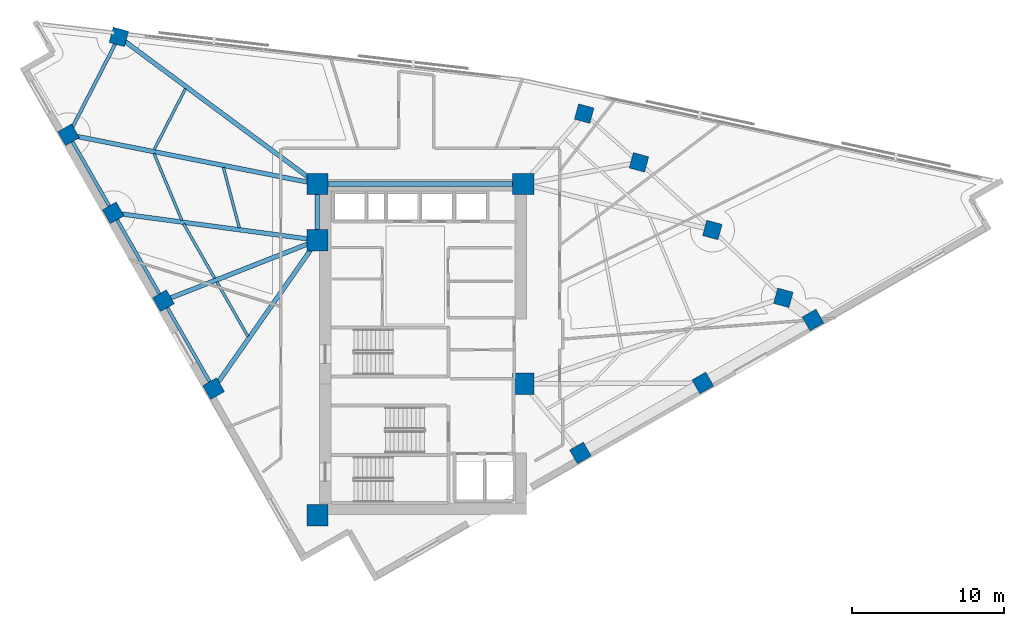
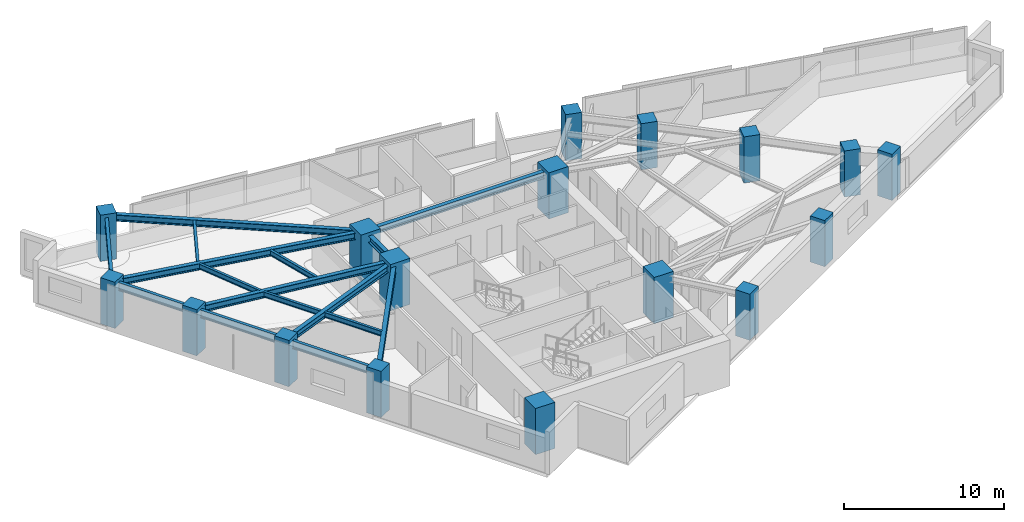
# One storey, part 1 of 14: 17 columns, 16 beams.
"""IFC4 building model written with IfcOpenShell, lengths in metres."""

import ifcopenshell
import ifcopenshell.guid

model = None  # the IFC model being written
_history = None  # IfcOwnerHistory: only IFC2X3 demands one
_inside = {}  # id of a spatial element -> (the spatial element, [elements in it])
_under = {}  # id of a project, library or spatial element -> (it, [spatial elements below it])
_declared = {}  # id of a project -> (the project, [libraries it declares])
_typed = {}  # id of a type object -> (the type object, [elements of that type])
_made_of = {}  # id of a material, layer set ... -> (it, [elements and type objects made of it])


def new_model(schema):
    """Start an empty IFC model of exactly this schema.

    Asked for "IFC4X3", IfcOpenShell would pick the latest addendum, in which some entities
    have other attributes; the version numbers below select the first issue.
    IFC2X3 requires an IfcOwnerHistory on every rooted entity: one is made here for all.
    """
    global model, _history
    if schema == "IFC4X3":
        model = ifcopenshell.file(schema_version=(4, 3, 0, 0))
    else:
        model = ifcopenshell.file(schema=schema)
    _inside.clear()
    _under.clear()
    _declared.clear()
    _typed.clear()
    _made_of.clear()
    _history = None
    if model.schema == "IFC2X3":
        org = make("IfcOrganization", Name="unknown")
        user = make(
            "IfcPersonAndOrganization",
            ThePerson=make("IfcPerson", FamilyName="unknown"),
            TheOrganization=org,
        )
        app = make(
            "IfcApplication",
            ApplicationDeveloper=org,
            Version="unknown",
            ApplicationFullName="unknown",
            ApplicationIdentifier="unknown",
        )
        _history = make(
            "IfcOwnerHistory",
            OwningUser=user,
            OwningApplication=app,
            ChangeAction="ADDED",
            CreationDate=0,
        )
    return model


def make(cls, **values):
    """One entity of the class cls with the attributes given. An attribute that is None is left unset."""
    return model.create_entity(
        cls, **{name: value for name, value in values.items() if value is not None}
    )


def rooted(cls, **values):
    """An entity with a GlobalId (a new one), such as an element, a storey or a relation."""
    return make(cls, GlobalId=ifcopenshell.guid.new(), OwnerHistory=_history, **values)


def si_unit(unit_type, name, prefix=None):
    """IfcSIUnit, for example si_unit("LENGTHUNIT", "METRE", prefix="MILLI")."""
    return make("IfcSIUnit", UnitType=unit_type, Prefix=prefix, Name=name)


def assignment(units):
    """IfcUnitAssignment: the units of a project."""
    return None if units is None else make("IfcUnitAssignment", Units=units)


def point(xyz):
    """IfcCartesianPoint."""
    return None if xyz is None else make("IfcCartesianPoint", Coordinates=xyz)


def direction(xyz):
    """IfcDirection."""
    return None if xyz is None else make("IfcDirection", DirectionRatios=xyz)


def frame(location, z_axis=None, x_axis=None):
    """IfcAxis2Placement3D, a coordinate frame: its origin and axes. An axis left out is left unset."""
    return make(
        "IfcAxis2Placement3D",
        Location=point(location),
        Axis=direction(z_axis),
        RefDirection=direction(x_axis),
    )


def frame_2d(location, x_axis=None):
    """IfcAxis2Placement2D, a coordinate frame in the plane: its origin and x axis."""
    return make(
        "IfcAxis2Placement2D", Location=point(location), RefDirection=direction(x_axis)
    )


def origin():
    """The frame at (0, 0, 0) with its axes left unset."""
    return frame((0.0, 0.0, 0.0))


def origin_2d():
    """The frame at (0, 0) in the plane with its x axis left unset."""
    return frame_2d((0.0, 0.0))


def place(relative_to, where):
    """IfcLocalPlacement: puts the frame where relative to a parent placement (None: the world)."""
    return make(
        "IfcLocalPlacement", PlacementRelTo=relative_to, RelativePlacement=where
    )


def context(
    kind, dimensions, precision=None, world=None, true_north=None, identifier=None
):
    """IfcGeometricRepresentationContext, for example the 3D "Model" context."""
    return make(
        "IfcGeometricRepresentationContext",
        ContextIdentifier=identifier,
        ContextType=kind,
        CoordinateSpaceDimension=dimensions,
        Precision=precision,
        WorldCoordinateSystem=world,
        TrueNorth=true_north,
    )


def subcontext(parent, identifier, kind, view, scale=None):
    """IfcGeometricRepresentationSubContext, for example "Body" below "Model"."""
    return make(
        "IfcGeometricRepresentationSubContext",
        ContextIdentifier=identifier,
        ContextType=kind,
        ParentContext=parent,
        TargetScale=scale,
        TargetView=view,
    )


def project(units=None, contexts=None):
    """IfcProject with its units and contexts."""
    return rooted(
        "IfcProject",
        Name="project",
        RepresentationContexts=contexts,
        UnitsInContext=assignment(units),
    )


def spatial(cls, under=None, at=None, **own):
    """A site, building, storey or space (cls), placed at a placement, below another one or the project."""
    s = rooted(cls, ObjectPlacement=at, **own)
    if under is not None:
        _under.setdefault(under.id(), (under, []))[1].append(s)
    return s


def profile(cls, at=None, kind="AREA", **sizes):
    """A parametric profile (cls). Its sizes go by their IFC names, for example OverallWidth=200.0."""
    return make(cls, ProfileType=kind, Position=at, **sizes)


def rectangle(**sizes):
    """IfcRectangleProfileDef."""
    return profile("IfcRectangleProfileDef", **sizes)


def i_section(**sizes):
    """IfcIShapeProfileDef."""
    return profile("IfcIShapeProfileDef", **sizes)


def extrude(swept, where, along, depth):
    """IfcExtrudedAreaSolid: the profile swept, set in the frame where, extruded along a direction by depth."""
    return make(
        "IfcExtrudedAreaSolid",
        SweptArea=swept,
        Position=where,
        ExtrudedDirection=direction(along),
        Depth=depth,
    )


def shape(context_of_items, identifier, shape_type, items):
    """IfcShapeRepresentation: the items that make up one representation, for example the "Body"."""
    return make(
        "IfcShapeRepresentation",
        ContextOfItems=context_of_items,
        RepresentationIdentifier=identifier,
        RepresentationType=shape_type,
        Items=items,
    )


def material(Name=None, Category=None):
    """IfcMaterial."""
    return make("IfcMaterial", Name=Name, Category=Category)


def material_profile(
    of_material, cross_section, Name=None, Category=None, Priority=None
):
    """IfcMaterialProfile: a cross section and its material."""
    return make(
        "IfcMaterialProfile",
        Name=Name,
        Material=of_material,
        Profile=cross_section,
        Priority=Priority,
        Category=Category,
    )


def profile_set(profiles, Name=None, composite=None):
    """IfcMaterialProfileSet."""
    return make(
        "IfcMaterialProfileSet",
        Name=Name,
        MaterialProfiles=profiles,
        CompositeProfile=composite,
    )


def made_of(thing, what):
    """Note that an element or type object is made of a material, layer set ...; save() writes the relation."""
    if what is not None:
        _made_of.setdefault(what.id(), (what, []))[1].append(thing)
    return thing


def type_object(cls, material=None, **own):
    """A type object (cls), such as IfcWallType, which elements share."""
    return made_of(rooted(cls, **own), material)


def element(
    cls,
    number,
    at=None,
    inside=None,
    cuts=None,
    type_object=None,
    material=None,
    context=None,
    identifier="Body",
    shape_type=None,
    held_by="IfcProductDefinitionShape",
    body=None,
    shapes=None,
    **own,
):
    """One element of the class cls, such as IfcWall. Its Tag is "e" and its number.

    at: its placement. inside: the storey or other place that contains it. cuts: it is an
    opening in that element (IfcRelVoidsElement). A single representation is given by context,
    identifier, shape_type and body (its items); several are given by shapes. held_by: the class
    of the entity that holds the representations. save() writes the other relations.
    """
    e = rooted(cls, Tag="e%d" % number, ObjectPlacement=at, **own)
    if body is not None:
        shapes = [shape(context, identifier, shape_type, body)]
    if shapes is not None:
        e.Representation = make(held_by, Representations=shapes)
    if inside is not None:
        _inside.setdefault(inside.id(), (inside, []))[1].append(e)
    if cuts is not None:
        rooted(
            "IfcRelVoidsElement", RelatingBuildingElement=cuts, RelatedOpeningElement=e
        )
    if type_object is not None:
        _typed.setdefault(type_object.id(), (type_object, []))[1].append(e)
    return made_of(e, material)


def aggregate(whole, parts):
    """IfcRelAggregates: a whole, such as a stair, and the parts it consists of."""
    return rooted("IfcRelAggregates", RelatingObject=whole, RelatedObjects=parts)


def save(model, path):
    """Write the relations noted so far, then the file.

    IfcRelAggregates (storeys below a building ...), IfcRelContainedInSpatialStructure (elements
    in a storey), IfcRelDefinesByType, IfcRelAssociatesMaterial and IfcRelDeclares: one each for
    every whole, place, type object, material and project.
    """
    for whole, parts in _under.values():
        aggregate(whole, parts)
    for where, things in _inside.values():
        rooted(
            "IfcRelContainedInSpatialStructure",
            RelatedElements=things,
            RelatingStructure=where,
        )
    for kind, things in _typed.values():
        rooted("IfcRelDefinesByType", RelatedObjects=things, RelatingType=kind)
    for what, things in _made_of.values():
        rooted("IfcRelAssociatesMaterial", RelatedObjects=things, RelatingMaterial=what)
    for by, libraries in _declared.values():
        rooted("IfcRelDeclares", RelatingContext=by, RelatedDefinitions=libraries)
    model.write(path)


model = new_model("IFC4")

# Units and contexts
model_context = context("Model", 3, precision=1e-05, world=origin(), true_north=direction((0.0, 1.0)))
body_context = subcontext(model_context, "Body", "Model", "MODEL_VIEW")
ifc_project = project(units=[si_unit("LENGTHUNIT", "METRE"), si_unit("AREAUNIT", "SQUARE_METRE"), si_unit("VOLUMEUNIT", "CUBIC_METRE"), si_unit("PLANEANGLEUNIT", "RADIAN"), si_unit("MASSUNIT", "GRAM", prefix="KILO")], contexts=[model_context])

# Site, building, storey
site_placement = place(None, origin())
site = spatial("IfcSite", under=ifc_project, at=site_placement, CompositionType="ELEMENT")
building_placement = place(site_placement, origin())
building = spatial("IfcBuilding", under=site, at=building_placement, Name="Narakoshi Arena Tower", CompositionType="ELEMENT")
storey_placement = place(building_placement, frame((0.0, 0.0, 211.4599609375)))
storey = spatial("IfcBuildingStorey", under=building, at=storey_placement, Name="L57", CompositionType="ELEMENT", Elevation=211.4599609375)

# Columns
ifc_material_1 = material(Name="Concrete C50/60", Category="concrete")
ifc_material_profile_1 = material_profile(ifc_material_1, rectangle(XDim=1.050048828125, YDim=1.050048828125, at=origin_2d()), Name="RC1050x1050")
ifc_profile_set_1 = profile_set([ifc_material_profile_1], Name="Concrete C50/60")
column_type_1 = type_object("IfcColumnType", Name="COL-RC1050", PredefinedType="COLUMN", material=ifc_profile_set_1)
for number, where, z_axis, x_axis, name in (
    (1, (89.30810546875, 38.798583984375, 0.0), (0.0, 0.0, 1.0), (0.868198814489, 0.496216503675, 0.0), "L57 Tower Perimeter Column TC01"),
    (2, (97.366943359375, 43.404541015625, 0.0), (0.0, 0.0, 1.0), (0.868198814489, 0.496216503675, 0.0), "L57 Tower Perimeter Column TC02"),
    (3, (104.619873046875, 47.550048828125, 0.0), (0.0, 0.0, 1.0), (0.868198814489, 0.496216503675, 0.0), "L57 Tower Perimeter Column TC03"),
    (4, (102.668701171875, 49.009521484375, 0.0), (0.0, 0.0, 1.0), (0.263031214458, 0.964787323829, 0.0), "L57 Tower Perimeter Column TC05"),
    (5, (97.997802734375, 53.47509765625, 0.0), (0.0, 0.0, 1.0), (0.263031214458, 0.964787323829, 0.0), "L57 Tower Perimeter Column TC06"),
    (6, (93.16650390625, 57.923828125, 0.0), (0.0, 0.0, 1.0), (0.263031214458, 0.964787323829, 0.0), "L57 Tower Perimeter Column TC07"),
    (7, (89.5615234375, 61.134765625, 0.0), (0.0, 0.0, 1.0), (0.263031214458, 0.964787323829, 0.0), "L57 Tower Perimeter Column TC08"),
    (8, (58.934326171875, 66.183837890625, 0.0), (0.0, 0.0, 1.0), (0.263031214458, 0.964787323829, 0.0), "L57 Tower Perimeter Column TC10"),
    (9, (55.624755859375, 59.74169921875, 0.0), (0.0, 0.0, 1.0), (-0.496216503675, 0.868198814489, 0.0), "L57 Tower Perimeter Column TC13"),
    (10, (58.562744140625, 54.60107421875, 0.0), (0.0, 0.0, 1.0), (-0.496216503675, 0.868198814489, 0.0), "L57 Tower Perimeter Column TC14"),
    (11, (61.8681640625, 48.81787109375, 0.0), (0.0, 0.0, 1.0), (-0.496216503675, 0.868198814489, 0.0), "L57 Tower Perimeter Column TC15"),
    (12, (65.17333984375, 43.03466796875, 0.0), (0.0, 0.0, 1.0), (-0.496216503675, 0.868198814489, 0.0), "L57 Tower Perimeter Column TC16"),
):
    element("IfcColumn", number, at=place(storey_placement, frame(where, z_axis=z_axis, x_axis=x_axis)), inside=storey, type_object=column_type_1, Name=name, PredefinedType="COLUMN", context=body_context, shape_type="SweptSolid", body=[
        extrude(rectangle(XDim=1.050048828125, YDim=1.050048828125, at=origin_2d()), origin(), (0.0, 0.0, 1.0), 3.52001953125),
    ])
ifc_material_2 = material(Name="Concrete C60/75", Category="concrete")
ifc_material_profile_2 = material_profile(ifc_material_2, rectangle(XDim=1.39990234375, YDim=1.39990234375, at=origin_2d()), Name="RC1400x1400")
ifc_profile_set_2 = profile_set([ifc_material_profile_2], Name="Concrete C60/75")
column_type_2 = type_object("IfcColumnType", Name="COL-RC1400", PredefinedType="COLUMN", material=ifc_profile_set_2)
for number, where, z_axis, x_axis, name in (
    (13, (72.0, 34.699951171875, 0.0), (0.0, 0.0, 1.0), (1.0, 0.0, 0.0), "L57 Core Structural Column CC1"),
    (14, (85.550048828125, 43.35009765625, 0.0), (0.0, 0.0, 1.0), (1.0, 0.0, 0.0), "L57 Core Structural Column CC3"),
    (15, (72.0, 52.800048828125, 0.0), (0.0, 0.0, 1.0), (1.0, 0.0, 0.0), "L57 Core Structural Column CC4"),
    (16, (72.0, 56.5, 0.0), (0.0, 0.0, 1.0), (1.0, 0.0, 0.0), "L57 Core Structural Column CC5"),
    (17, (85.550048828125, 56.5, 0.0), (0.0, 0.0, 1.0), (1.0, 0.0, 0.0), "L57 Core Structural Column CC6"),
):
    element("IfcColumn", number, at=place(storey_placement, frame(where, z_axis=z_axis, x_axis=x_axis)), inside=storey, type_object=column_type_2, Name=name, PredefinedType="COLUMN", context=body_context, shape_type="SweptSolid", body=[
        extrude(rectangle(XDim=1.39990234375, YDim=1.39990234375, at=origin_2d()), origin(), (0.0, 0.0, 1.0), 3.52001953125),
    ])

# Beams
ifc_material_3 = material(Name="Structural steel S355J2", Category="steel")
ifc_material_profile_3 = material_profile(ifc_material_3, i_section(OverallWidth=0.219970703125, OverallDepth=0.60009765625, WebThickness=0.011962890625, FlangeThickness=0.01904296875, FilletRadius=0.02392578125, at=origin_2d()), Name="IPE600")
ifc_profile_set_3 = profile_set([ifc_material_profile_3], Name="Structural steel S355J2")
beam_type_1 = type_object("IfcBeamType", Name="BM-EDGE-600", PredefinedType="BEAM", material=ifc_profile_set_3)
beam_1_placement = place(storey_placement, frame((58.934326171875, 66.183837890625, 2.9599609375), z_axis=(-0.45696256568, -0.889485926571, 0.0), x_axis=(0.889485926571, -0.45696256568, 0.0)))
element("IfcBeam", 18, at=beam_1_placement, inside=storey, type_object=beam_type_1, Name="L57 Perimeter Edge Girder 08", PredefinedType="BEAM", context=body_context, shape_type="SweptSolid", body=[
    extrude(i_section(OverallWidth=0.219970703125, OverallDepth=0.60009765625, WebThickness=0.011962890625, FlangeThickness=0.01904296875, FilletRadius=0.02392578125, at=origin_2d()), origin(), (0.0, 0.0, 1.0), 7.242431640625),
])
beam_2_placement = place(storey_placement, frame((55.624755859375, 59.74169921875, 2.9599609375), z_axis=(0.496201104161, -0.868207615856, 0.0), x_axis=(0.868207615856, 0.496201104161, 0.0)))
element("IfcBeam", 19, at=beam_2_placement, inside=storey, type_object=beam_type_1, Name="L57 Perimeter Edge Girder 09", PredefinedType="BEAM", context=body_context, shape_type="SweptSolid", body=[
    extrude(i_section(OverallWidth=0.219970703125, OverallDepth=0.60009765625, WebThickness=0.011962890625, FlangeThickness=0.01904296875, FilletRadius=0.02392578125, at=origin_2d()), origin(), (0.0, 0.0, 1.0), 5.9208984375),
])
for number, where, z_axis, x_axis, name in (
    (20, (58.562744140625, 54.60107421875, 2.9599609375), (0.496221824399, -0.868195773423, 0.0), (0.868195773423, 0.496221824399, 0.0), "L57 Perimeter Edge Girder 10"),
    (21, (61.8681640625, 48.81787109375, 2.9599609375), (0.496194197226, -0.868211563295, 0.0), (0.868211563295, 0.496194197226, 0.0), "L57 Perimeter Edge Girder 11"),
):
    element("IfcBeam", number, at=place(storey_placement, frame(where, z_axis=z_axis, x_axis=x_axis)), inside=storey, type_object=beam_type_1, Name=name, PredefinedType="BEAM", context=body_context, shape_type="SweptSolid", body=[
        extrude(i_section(OverallWidth=0.219970703125, OverallDepth=0.60009765625, WebThickness=0.011962890625, FlangeThickness=0.01904296875, FilletRadius=0.02392578125, at=origin_2d()), origin(), (0.0, 0.0, 1.0), 6.6611328125),
    ])
ifc_material_profile_4 = material_profile(ifc_material_3, i_section(OverallWidth=0.300048828125, OverallDepth=0.5, WebThickness=0.014404296875, FlangeThickness=0.028076171875, FilletRadius=0.027099609375, at=origin_2d()), Name="HE500B")
ifc_profile_set_4 = profile_set([ifc_material_profile_4], Name="Structural steel S355J2")
beam_type_2 = type_object("IfcBeamType", Name="BM-PRI-500", PredefinedType="BEAM", material=ifc_profile_set_4)
beam_3_placement = place(storey_placement, frame((72.0, 56.5, 3.010009765625), z_axis=(-0.803393614053, 0.595448319252, 0.0), x_axis=(-0.595448319252, -0.803393614053, 0.0)))
element("IfcBeam", 22, at=beam_3_placement, inside=storey, type_object=beam_type_2, Name="L57 Radial Primary Floor Girder 08", PredefinedType="BEAM", context=body_context, shape_type="SweptSolid", body=[
    extrude(i_section(OverallWidth=0.300048828125, OverallDepth=0.5, WebThickness=0.014404296875, FlangeThickness=0.028076171875, FilletRadius=0.027099609375, at=origin_2d()), origin(), (0.0, 0.0, 1.0), 16.26318359375),
])
beam_4_placement = place(storey_placement, frame((72.0, 56.5, 3.010009765625), z_axis=(-0.980962989548, 0.194194781435, 0.0), x_axis=(-0.194194781435, -0.980962989548, 0.0)))
element("IfcBeam", 23, at=beam_4_placement, inside=storey, type_object=beam_type_2, Name="L57 Radial Primary Floor Girder 09", PredefinedType="BEAM", context=body_context, shape_type="SweptSolid", body=[
    extrude(i_section(OverallWidth=0.300048828125, OverallDepth=0.5, WebThickness=0.014404296875, FlangeThickness=0.028076171875, FilletRadius=0.027099609375, at=origin_2d()), origin(), (0.0, 0.0, 1.0), 16.693115234375),
])
beam_5_placement = place(storey_placement, frame((72.0, 52.800048828125, 3.010009765625), z_axis=(-0.991136919777, 0.132844293268, 0.0), x_axis=(-0.132844293268, -0.991136919777, 0.0)))
element("IfcBeam", 24, at=beam_5_placement, inside=storey, type_object=beam_type_2, Name="L57 Radial Primary Floor Girder 10", PredefinedType="BEAM", context=body_context, shape_type="SweptSolid", body=[
    extrude(i_section(OverallWidth=0.300048828125, OverallDepth=0.5, WebThickness=0.014404296875, FlangeThickness=0.028076171875, FilletRadius=0.027099609375, at=origin_2d()), origin(), (0.0, 0.0, 1.0), 13.557373046875),
])
beam_6_placement = place(storey_placement, frame((72.0, 52.800048828125, 3.010009765625), z_axis=(-0.930694784397, -0.365796689838, 0.0), x_axis=(0.365796689838, -0.930694784397, 0.0)))
element("IfcBeam", 25, at=beam_6_placement, inside=storey, type_object=beam_type_2, Name="L57 Radial Primary Floor Girder 11", PredefinedType="BEAM", context=body_context, shape_type="SweptSolid", body=[
    extrude(i_section(OverallWidth=0.300048828125, OverallDepth=0.5, WebThickness=0.014404296875, FlangeThickness=0.028076171875, FilletRadius=0.027099609375, at=origin_2d()), origin(), (0.0, 0.0, 1.0), 10.88623046875),
])
beam_7_placement = place(storey_placement, frame((72.0, 52.800048828125, 3.010009765625), z_axis=(-0.572949287291, -0.819590821198, 0.0), x_axis=(0.819590821198, -0.572949287291, 0.0)))
element("IfcBeam", 26, at=beam_7_placement, inside=storey, type_object=beam_type_2, Name="L57 Radial Primary Floor Girder 12", PredefinedType="BEAM", context=body_context, shape_type="SweptSolid", body=[
    extrude(i_section(OverallWidth=0.300048828125, OverallDepth=0.5, WebThickness=0.014404296875, FlangeThickness=0.028076171875, FilletRadius=0.027099609375, at=origin_2d()), origin(), (0.0, 0.0, 1.0), 11.9150390625),
])
beam_8_placement = place(storey_placement, frame((72.0, 52.800048828125, 3.010009765625), z_axis=(0.0, 1.0, 0.0), x_axis=(-1.0, 0.0, 0.0)))
element("IfcBeam", 27, at=beam_8_placement, inside=storey, type_object=beam_type_2, Name="L57 Core Perimeter Frame Beam CC4-CC5", PredefinedType="BEAM", context=body_context, shape_type="SweptSolid", body=[
    extrude(i_section(OverallWidth=0.300048828125, OverallDepth=0.5, WebThickness=0.014404296875, FlangeThickness=0.028076171875, FilletRadius=0.027099609375, at=origin_2d()), origin(), (0.0, 0.0, 1.0), 3.699951171875),
])
beam_9_placement = place(storey_placement, frame((72.0, 56.5, 3.010009765625), z_axis=(1.0, 0.0, 0.0), x_axis=(0.0, 1.0, 0.0)))
element("IfcBeam", 28, at=beam_9_placement, inside=storey, type_object=beam_type_2, Name="L57 Core Perimeter Frame Beam CC5-CC6", PredefinedType="BEAM", context=body_context, shape_type="SweptSolid", body=[
    extrude(i_section(OverallWidth=0.300048828125, OverallDepth=0.5, WebThickness=0.014404296875, FlangeThickness=0.028076171875, FilletRadius=0.027099609375, at=origin_2d()), origin(), (0.0, 0.0, 1.0), 13.550048828125),
])
ifc_material_profile_5 = material_profile(ifc_material_3, i_section(OverallWidth=0.179931640625, OverallDepth=0.39990234375, WebThickness=0.008544921875, FlangeThickness=0.013427734375, FilletRadius=0.02099609375, at=origin_2d()), Name="IPE400")
ifc_profile_set_5 = profile_set([ifc_material_profile_5], Name="Structural steel S355J2")
beam_type_3 = type_object("IfcBeamType", Name="BM-SEC-400", PredefinedType="JOIST", material=ifc_profile_set_5)
beam_10_placement = place(storey_placement, frame((63.31494140625, 62.771240234375, 3.06005859375), z_axis=(-0.456973703067, -0.889480204785, 0.0), x_axis=(0.889480204785, -0.456973703067, 0.0)))
element("IfcBeam", 29, at=beam_10_placement, inside=storey, type_object=beam_type_3, Name="L57 Composite Secondary Floor Joist 09", PredefinedType="JOIST", context=body_context, shape_type="SweptSolid", body=[
    extrude(i_section(OverallWidth=0.179931640625, OverallDepth=0.39990234375, WebThickness=0.008544921875, FlangeThickness=0.013427734375, FilletRadius=0.02099609375, at=origin_2d()), origin(), (0.0, 0.0, 1.0), 4.51025390625),
])
beam_11_placement = place(storey_placement, frame((65.811767578125, 57.601318359375, 3.06005859375), z_axis=(0.254225056147, -0.967145087785, 0.0), x_axis=(0.967145087785, 0.254225056147, 0.0)))
element("IfcBeam", 30, at=beam_11_placement, inside=storey, type_object=beam_type_3, Name="L57 Composite Secondary Floor Joist 10", PredefinedType="JOIST", context=body_context, shape_type="SweptSolid", body=[
    extrude(i_section(OverallWidth=0.179931640625, OverallDepth=0.39990234375, WebThickness=0.008544921875, FlangeThickness=0.013427734375, FilletRadius=0.02099609375, at=origin_2d()), origin(), (0.0, 0.0, 1.0), 4.121826171875),
])
beam_12_placement = place(storey_placement, frame((61.244384765625, 58.514892578125, 3.06005859375), z_axis=(0.384829846307, -0.922987534797, 0.0), x_axis=(0.922987534797, 0.384829846307, 0.0)))
element("IfcBeam", 31, at=beam_12_placement, inside=storey, type_object=beam_type_3, Name="L57 Composite Secondary Floor Joist 11", PredefinedType="JOIST", context=body_context, shape_type="SweptSolid", body=[
    extrude(i_section(OverallWidth=0.179931640625, OverallDepth=0.39990234375, WebThickness=0.008544921875, FlangeThickness=0.013427734375, FilletRadius=0.02099609375, at=origin_2d()), origin(), (0.0, 0.0, 1.0), 4.768798828125),
])
for number, where, z_axis, x_axis, name in (
    (32, (63.198486328125, 53.87158203125, 3.06005859375), (0.496221767919, -0.868195805705, 0.0), (0.868195805705, 0.496221767919, 0.0), "L57 Composite Secondary Floor Joist 12"),
    (33, (65.3798828125, 50.0546875, 3.06005859375), (0.496221767919, -0.868195805705, 0.0), (0.868195805705, 0.496221767919, 0.0), "L57 Composite Secondary Floor Joist 13"),
):
    element("IfcBeam", number, at=place(storey_placement, frame(where, z_axis=z_axis, x_axis=x_axis)), inside=storey, type_object=beam_type_3, Name=name, PredefinedType="JOIST", context=body_context, shape_type="SweptSolid", body=[
        extrude(i_section(OverallWidth=0.179931640625, OverallDepth=0.39990234375, WebThickness=0.008544921875, FlangeThickness=0.013427734375, FilletRadius=0.02099609375, at=origin_2d()), origin(), (0.0, 0.0, 1.0), 4.12646484375),
    ])

save(model, "model.ifc")
